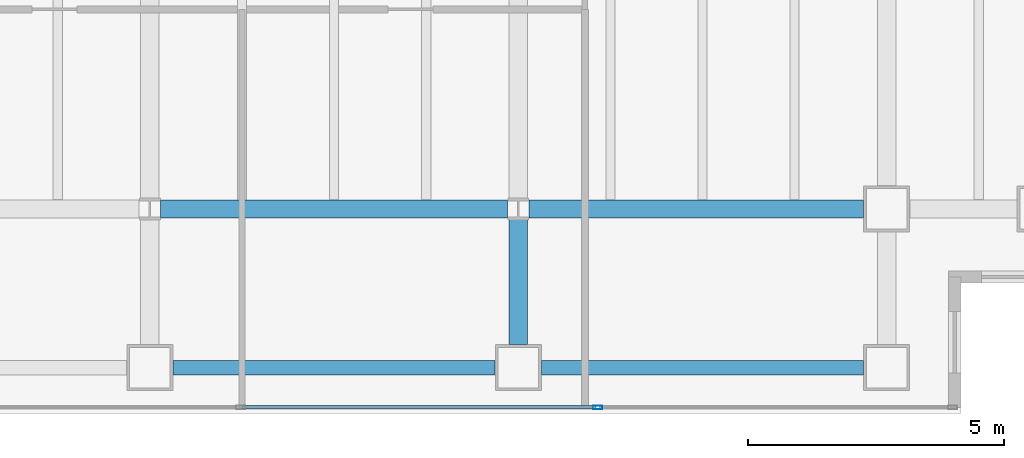
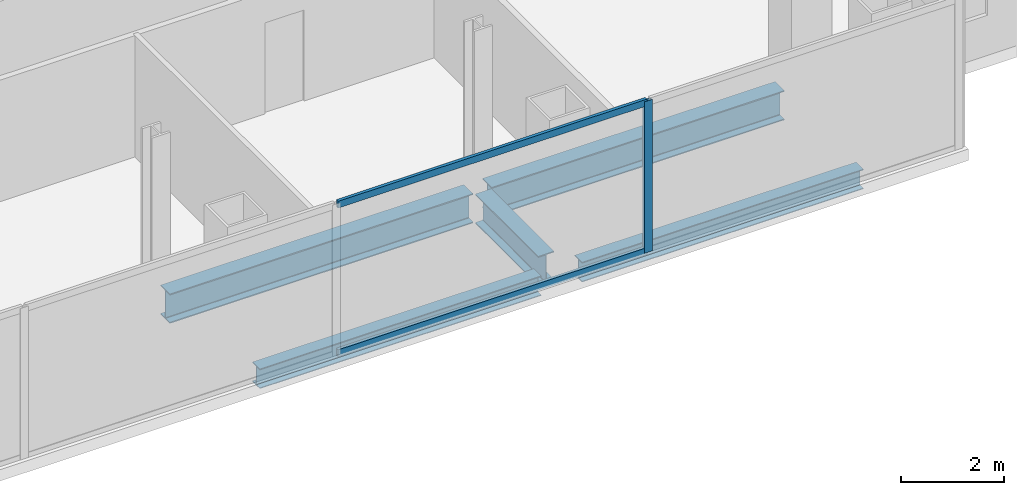
# One storey, part 9 of 24: 5 beams, 3 members, 1 element without a shape of its own.
"""IFC4 building model written with IfcOpenShell, lengths in metres."""

from ifc_helpers import new_model, si_unit, direction, frame, origin, origin_2d, place, context, subcontext, project, spatial, hollow_rectangle, i_section, extrude, material, material_profile, profile_set, type_object, element, aggregate, save


model = new_model("IFC4")

# Units and contexts
model_context = context("Model", 3, precision=1e-05, world=origin(), true_north=direction((0.0, 1.0)))
body_context = subcontext(model_context, "Body", "Model", "MODEL_VIEW")
ifc_project = project(units=[si_unit("LENGTHUNIT", "METRE"), si_unit("AREAUNIT", "SQUARE_METRE"), si_unit("VOLUMEUNIT", "CUBIC_METRE"), si_unit("PLANEANGLEUNIT", "RADIAN"), si_unit("MASSUNIT", "GRAM", prefix="KILO")], contexts=[model_context])

# Site, building, storey
site_placement = place(None, origin())
site = spatial("IfcSite", under=ifc_project, at=site_placement, CompositionType="ELEMENT")
building_placement = place(site_placement, origin())
building = spatial("IfcBuilding", under=site, at=building_placement, Name="Cobrela Telecom Tower", CompositionType="ELEMENT")
storey_placement = place(building_placement, frame((0.0, 0.0, 136.85009765625)))
storey = spatial("IfcBuildingStorey", under=building, at=storey_placement, Name="L34", CompositionType="ELEMENT", Elevation=136.85009765625)

# Beams
ifc_material_1 = material(Name="Steel ASTM A992 Grade 50", Category="steel")
ifc_material_profile_1 = material_profile(ifc_material_1, i_section(OverallWidth=0.35595703125, OverallDepth=0.696044921875, WebThickness=0.015380859375, FlangeThickness=0.024658203125, FilletRadius=0.01806640625, at=origin_2d()), Name="W27X146")
ifc_profile_set_1 = profile_set([ifc_material_profile_1], Name="Steel ASTM A992 Grade 50")
beam_type_1 = type_object("IfcBeamType", Name="BM-GIRD-05", PredefinedType="USERDEFINED", material=ifc_profile_set_1)
beam_1_placement = place(storey_placement, frame((29.009521484375, 7.199951171875, -0.6181640625), z_axis=(1.0, 0.0, 0.0), x_axis=(0.0, 1.0, 0.0)))
element("IfcBeam", 1, at=beam_1_placement, inside=storey, type_object=beam_type_1, Name="L34 Primary Girder X10", ObjectType="GIRDER", PredefinedType="USERDEFINED", context=body_context, shape_type="SweptSolid", body=[
    extrude(i_section(OverallWidth=0.35595703125, OverallDepth=0.696044921875, WebThickness=0.015380859375, FlangeThickness=0.024658203125, FilletRadius=0.01806640625, at=origin_2d()), origin(), (0.0, 0.0, 1.0), 6.781005859375),
])
beam_2_placement = place(storey_placement, frame((36.20947265625, 7.199951171875, -0.6181640625), z_axis=(1.0, 0.0, 0.0), x_axis=(0.0, 1.0, 0.0)))
element("IfcBeam", 2, at=beam_2_placement, inside=storey, type_object=beam_type_1, Name="L34 Primary Girder X11", ObjectType="GIRDER", PredefinedType="USERDEFINED", context=body_context, shape_type="SweptSolid", body=[
    extrude(i_section(OverallWidth=0.35595703125, OverallDepth=0.696044921875, WebThickness=0.015380859375, FlangeThickness=0.024658203125, FilletRadius=0.01806640625, at=origin_2d()), origin(), (0.0, 0.0, 1.0), 6.53564453125),
])
beam_3_placement = place(storey_placement, frame((36.0, 4.554931640625, -0.6181640625), z_axis=(0.0, 1.0, 0.0), x_axis=(-1.0, 0.0, 0.0)))
element("IfcBeam", 3, at=beam_3_placement, inside=storey, type_object=beam_type_1, Name="L34 Primary Girder Y49", ObjectType="GIRDER", PredefinedType="USERDEFINED", context=body_context, shape_type="SweptSolid", body=[
    extrude(i_section(OverallWidth=0.35595703125, OverallDepth=0.696044921875, WebThickness=0.015380859375, FlangeThickness=0.024658203125, FilletRadius=0.01806640625, at=origin_2d()), origin(), (0.0, 0.0, 1.0), 2.435546875),
])
ifc_material_profile_2 = material_profile(ifc_material_1, i_section(OverallWidth=0.281982421875, OverallDepth=0.467041015625, WebThickness=0.01220703125, FlangeThickness=0.01953125, FilletRadius=0.012939453125, at=origin_2d()), Name="W18X86")
ifc_profile_set_2 = profile_set([ifc_material_profile_2], Name="Steel ASTM A992 Grade 50")
beam_type_2 = type_object("IfcBeamType", Name="BM-SPAND-04", PredefinedType="SPANDREL", material=ifc_profile_set_2)
for number, where, z_axis, x_axis, name in (
    (4, (29.2548828125, 4.10009765625, -0.503662109375), (1.0, 0.0, 0.0), (0.0, 1.0, 0.0), "L34 Perimeter Spandrel X04"),
    (5, (36.455078125, 4.10009765625, -0.503662109375), (1.0, 0.0, 0.0), (0.0, 1.0, 0.0), "L34 Perimeter Spandrel X05"),
):
    element("IfcBeam", number, at=place(storey_placement, frame(where, z_axis=z_axis, x_axis=x_axis)), inside=storey, type_object=beam_type_2, Name=name, PredefinedType="SPANDREL", context=body_context, shape_type="SweptSolid", body=[
        extrude(i_section(OverallWidth=0.281982421875, OverallDepth=0.467041015625, WebThickness=0.01220703125, FlangeThickness=0.01953125, FilletRadius=0.012939453125, at=origin_2d()), origin(), (0.0, 0.0, 1.0), 6.2900390625),
    ])

# Curtain wall, members
ifc_material_2 = material(Name="Anodized Bronze Aluminium 6063-T6", Category="aluminium")
curtain_wall_type = type_object("IfcCurtainWallType", Name="CW-SYS-TEL", PredefinedType="USERDEFINED", material=ifc_material_2)
curtain_wall_placement = place(storey_placement, origin())
curtain_wall = element("IfcCurtainWall", 6, at=curtain_wall_placement, inside=storey, type_object=curtain_wall_type, Name="L34 Unitised Bronze Curtain Wall 17", ObjectType="UNITISED CURTAIN WALL", PredefinedType="USERDEFINED")
ifc_material_profile_3 = material_profile(ifc_material_2, hollow_rectangle(XDim=0.074951171875, YDim=0.179931640625, WallThickness=0.00390625, at=origin_2d()), Name="ALU 75x180x4")
ifc_profile_set_3 = profile_set([ifc_material_profile_3], Name="Anodized Bronze Aluminium 6063-T6")
member_type_1 = type_object("IfcMemberType", Name="CW-SYS-TEL-MUL", PredefinedType="MULLION", material=ifc_profile_set_3)
member_1_placement = place(storey_placement, frame((37.55322265625, 3.320068359375, 0.0), z_axis=(0.0, 0.0, 1.0), x_axis=(0.0, -1.0, 0.0)))
member_1 = element("IfcMember", 7, at=member_1_placement, type_object=member_type_1, Name="CW-TEL mullion 2", PredefinedType="MULLION", context=body_context, shape_type="SweptSolid", body=[
    extrude(hollow_rectangle(XDim=0.074951171875, YDim=0.179931640625, WallThickness=0.00390625, at=origin_2d()), origin(), (0.0, 0.0, 1.0), 3.579833984375),
])
ifc_material_profile_4 = material_profile(ifc_material_2, hollow_rectangle(XDim=0.070068359375, YDim=0.159912109375, WallThickness=0.00390625, at=origin_2d()), Name="ALU 70x160x4")
ifc_profile_set_4 = profile_set([ifc_material_profile_4], Name="Anodized Bronze Aluminium 6063-T6")
member_type_2 = type_object("IfcMemberType", Name="CW-SYS-TEL-TRN", PredefinedType="USERDEFINED", material=ifc_profile_set_4)
member_2_placement = place(storey_placement, frame((37.515869140625, 3.320068359375, 0.034912109375), z_axis=(-1.0, 0.0, 0.0), x_axis=(0.0, -1.0, 0.0)))
member_2 = element("IfcMember", 8, at=member_2_placement, type_object=member_type_2, Name="CW-TEL transom 2.1", ObjectType="TRANSOM", PredefinedType="USERDEFINED", context=body_context, shape_type="SweptSolid", body=[
    extrude(hollow_rectangle(XDim=0.070068359375, YDim=0.159912109375, WallThickness=0.00390625, at=origin_2d()), origin(), (0.0, 0.0, 1.0), 6.901611328125),
])
member_3_placement = place(storey_placement, frame((37.515869140625, 3.320068359375, 3.544921875), z_axis=(-1.0, 0.0, 0.0), x_axis=(0.0, -1.0, 0.0)))
member_3 = element("IfcMember", 9, at=member_3_placement, type_object=member_type_2, Name="CW-TEL transom 2.2", ObjectType="TRANSOM", PredefinedType="USERDEFINED", context=body_context, shape_type="SweptSolid", body=[
    extrude(hollow_rectangle(XDim=0.070068359375, YDim=0.159912109375, WallThickness=0.00390625, at=origin_2d()), origin(), (0.0, 0.0, 1.0), 6.901611328125),
])
aggregate(curtain_wall, [member_1, member_2, member_3])

save(model, "model.ifc")
